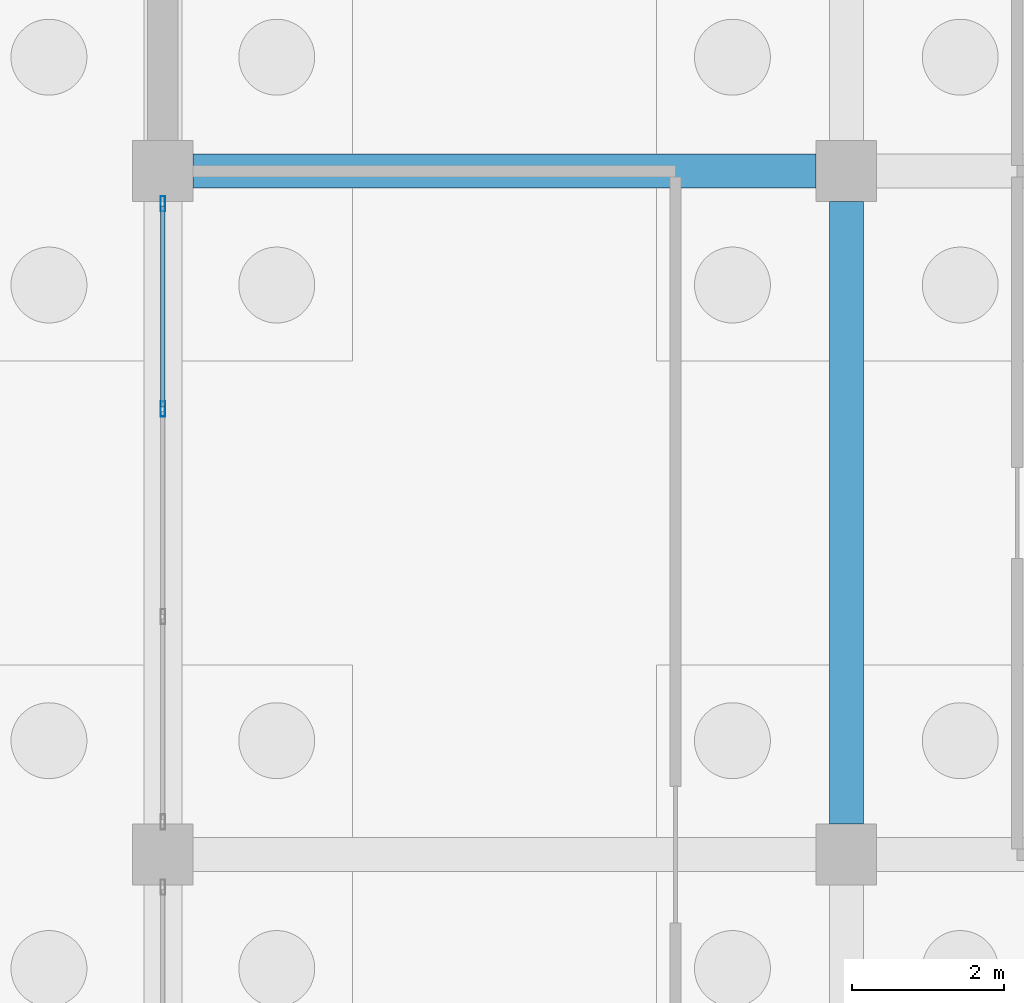
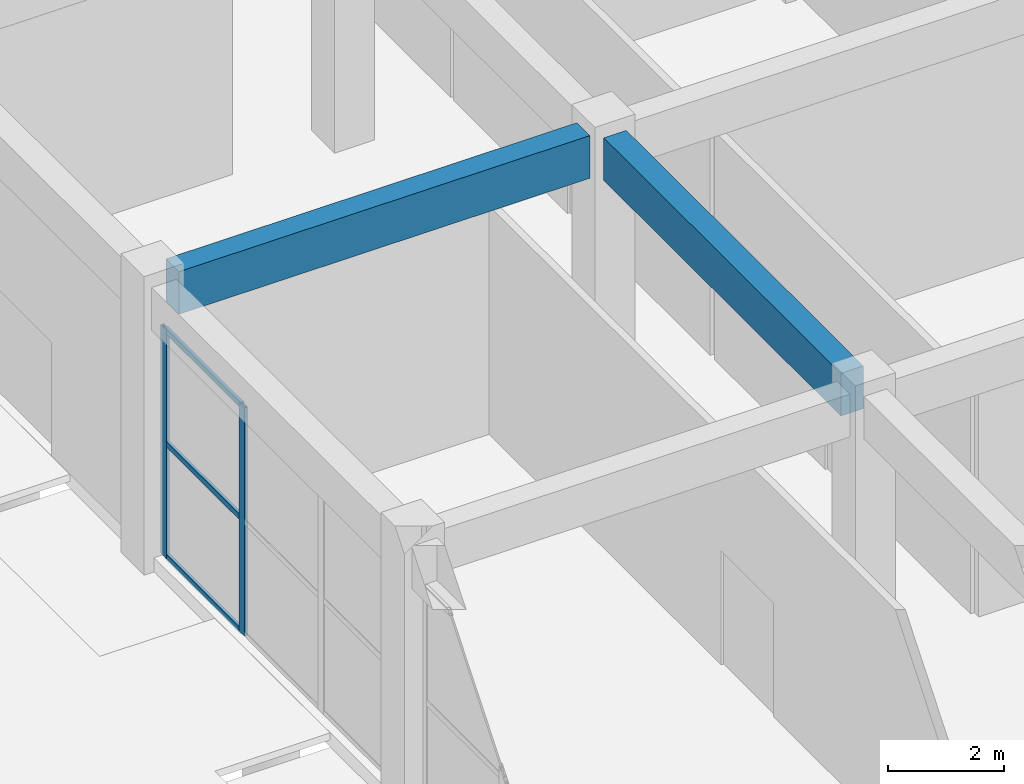
# One storey, part 62 of 198: 5 members, 2 beams, 1 element without a shape of its own.
"""IFC4 building model written with IfcOpenShell, lengths in metres."""

from ifc_helpers import new_model, si_unit, direction, frame, origin, origin_2d, place, context, subcontext, project, spatial, rectangle, hollow_rectangle, extrude, material, layer, layer_set, material_profile, profile_set, type_object, element, aggregate, save


model = new_model("IFC4")

# Units and contexts
model_context = context("Model", 3, precision=1e-05, world=origin(), true_north=direction((0.0, 1.0)))
body_context = subcontext(model_context, "Body", "Model", "MODEL_VIEW")
ifc_project = project(units=[si_unit("LENGTHUNIT", "METRE"), si_unit("AREAUNIT", "SQUARE_METRE"), si_unit("VOLUMEUNIT", "CUBIC_METRE"), si_unit("PLANEANGLEUNIT", "RADIAN"), si_unit("MASSUNIT", "GRAM", prefix="KILO")], contexts=[model_context])

# Site, building, storey
site_placement = place(None, origin())
site = spatial("IfcSite", under=ifc_project, at=site_placement, CompositionType="ELEMENT")
building_placement = place(site_placement, origin())
building = spatial("IfcBuilding", under=site, at=building_placement, Name="Opaline Strait Convention Centre", CompositionType="ELEMENT")
storey_placement = place(building_placement, origin())
storey = spatial("IfcBuildingStorey", under=building, at=storey_placement, Name="L00", CompositionType="ELEMENT", Elevation=0.0)

# Curtain wall, members
ifc_material_1 = material(Name="Aluminium framed double glazing", Category="aluminium")
ifc_layer = layer(ifc_material_1, 0.199951171875)
ifc_layer_set = layer_set([ifc_layer], Name="Aluminium framed double glazing")
curtain_wall_type = type_object("IfcCurtainWallType", Name="Curtain wall 3000 module unitised", PredefinedType="NOTDEFINED", material=ifc_layer_set)
curtain_wall_placement = place(storey_placement, origin())
curtain_wall = element("IfcCurtainWall", 1, at=curtain_wall_placement, inside=storey, type_object=curtain_wall_type, Name="Curtain wall W L00 32/S", PredefinedType="NOTDEFINED")
ifc_material_2 = material(Name="Aluminium alloy 6063", Category="aluminium")
ifc_material_profile_1 = material_profile(ifc_material_2, hollow_rectangle(XDim=0.06005859375, YDim=0.199951171875, WallThickness=0.00390625, at=origin_2d()), Name="MULLION 60x200x4")
ifc_profile_set_1 = profile_set([ifc_material_profile_1], Name="Aluminium alloy 6063")
member_type_1 = type_object("IfcMemberType", Name="Curtain wall mullion 60 x 200", PredefinedType="MULLION", material=ifc_profile_set_1)
member_1_placement = place(storey_placement, frame((279.0, 149.86669921875, 0.0), z_axis=(0.0, 0.0, 1.0), x_axis=(-1.0, 0.0, 0.0)))
member_1 = element("IfcMember", 2, at=member_1_placement, type_object=member_type_1, Name="MCWR1 mullion 3", PredefinedType="MULLION", context=body_context, shape_type="SweptSolid", body=[
    extrude(hollow_rectangle(XDim=0.06005859375, YDim=0.199951171875, WallThickness=0.00390625, at=origin_2d()), origin(), (0.0, 0.0, 1.0), 4.820068359375),
])
member_2_placement = place(storey_placement, frame((279.0, 152.570068359375, 0.0), z_axis=(0.0, 0.0, 1.0), x_axis=(-1.0, 0.0, 0.0)))
member_2 = element("IfcMember", 3, at=member_2_placement, type_object=member_type_1, Name="MCWR1 mullion 4", PredefinedType="MULLION", context=body_context, shape_type="SweptSolid", body=[
    extrude(hollow_rectangle(XDim=0.06005859375, YDim=0.199951171875, WallThickness=0.00390625, at=origin_2d()), origin(), (0.0, 0.0, 1.0), 4.820068359375),
])
ifc_material_profile_2 = material_profile(ifc_material_2, hollow_rectangle(XDim=0.06005859375, YDim=0.1201171875, WallThickness=0.0029296875, at=origin_2d()), Name="TRANSOM 60x120x3")
ifc_profile_set_2 = profile_set([ifc_material_profile_2], Name="Aluminium alloy 6063")
member_type_2 = type_object("IfcMemberType", Name="Curtain wall transom 60 x 120", PredefinedType="USERDEFINED", material=ifc_profile_set_2)
member_3_placement = place(storey_placement, frame((279.0, 149.896728515625, 0.030029296875), z_axis=(0.0, 1.0, 0.0), x_axis=(-1.0, 0.0, 0.0)))
member_3 = element("IfcMember", 4, at=member_3_placement, type_object=member_type_2, Name="MCWR1 transom 3.1", ObjectType="TRANSOM", PredefinedType="USERDEFINED", context=body_context, shape_type="SweptSolid", body=[
    extrude(hollow_rectangle(XDim=0.06005859375, YDim=0.1201171875, WallThickness=0.0029296875, at=origin_2d()), origin(), (0.0, 0.0, 1.0), 2.643310546875),
])
member_4_placement = place(storey_placement, frame((279.0, 149.896728515625, 2.409912109375), z_axis=(0.0, 1.0, 0.0), x_axis=(-1.0, 0.0, 0.0)))
member_4 = element("IfcMember", 5, at=member_4_placement, type_object=member_type_2, Name="MCWR1 transom 3.2", ObjectType="TRANSOM", PredefinedType="USERDEFINED", context=body_context, shape_type="SweptSolid", body=[
    extrude(hollow_rectangle(XDim=0.06005859375, YDim=0.1201171875, WallThickness=0.0029296875, at=origin_2d()), origin(), (0.0, 0.0, 1.0), 2.643310546875),
])
member_5_placement = place(storey_placement, frame((279.0, 149.896728515625, 4.7900390625), z_axis=(0.0, 1.0, 0.0), x_axis=(-1.0, 0.0, 0.0)))
member_5 = element("IfcMember", 6, at=member_5_placement, type_object=member_type_2, Name="MCWR1 transom 3.3", ObjectType="TRANSOM", PredefinedType="USERDEFINED", context=body_context, shape_type="SweptSolid", body=[
    extrude(hollow_rectangle(XDim=0.06005859375, YDim=0.1201171875, WallThickness=0.0029296875, at=origin_2d()), origin(), (0.0, 0.0, 1.0), 2.643310546875),
])
aggregate(curtain_wall, [member_1, member_2, member_3, member_4, member_5])

# Beams
ifc_material_3 = material(Name="Concrete C35", Category="concrete")
ifc_material_profile_3 = material_profile(ifc_material_3, rectangle(XDim=0.449951171875, YDim=0.89990234375, at=origin_2d()), Name="RC 450x900")
ifc_profile_set_3 = profile_set([ifc_material_profile_3], Name="Concrete C35")
beam_type = type_object("IfcBeamType", Name="RC beam 450x900 C35", PredefinedType="BEAM", material=ifc_profile_set_3)
for number, where, z_axis, x_axis, name in (
    (7, (279.39990234375, 153.0, 5.27001953125), (1.0, 0.0, 0.0), (0.0, 1.0, 0.0), "XB1 L00 32/T-33/T"),
    (8, (288.0, 144.39990234375, 5.27001953125), (0.0, 1.0, 0.0), (-1.0, 0.0, 0.0), "XB1 L00 33/S-33/T"),
):
    element("IfcBeam", number, at=place(storey_placement, frame(where, z_axis=z_axis, x_axis=x_axis)), inside=storey, type_object=beam_type, Name=name, PredefinedType="BEAM", context=body_context, shape_type="SweptSolid", body=[
        extrude(rectangle(XDim=0.449951171875, YDim=0.89990234375, at=origin_2d()), origin(), (0.0, 0.0, 1.0), 8.2001953125),
    ])

save(model, "model.ifc")
